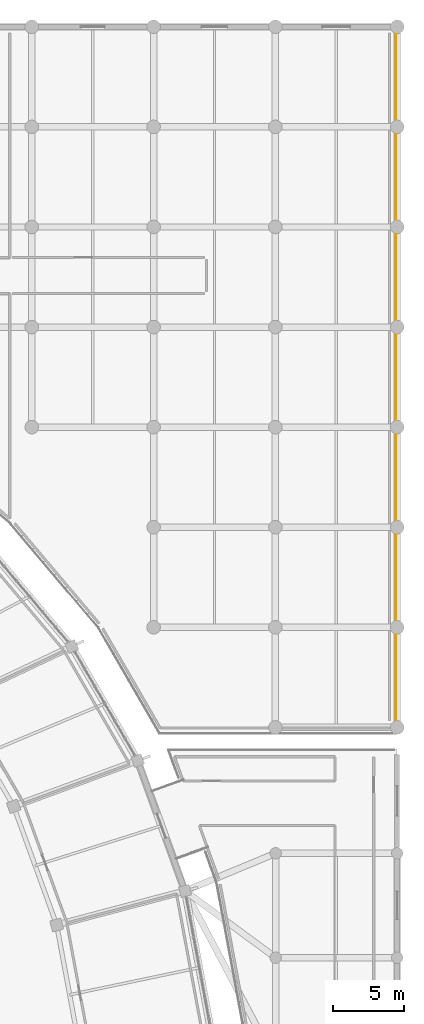
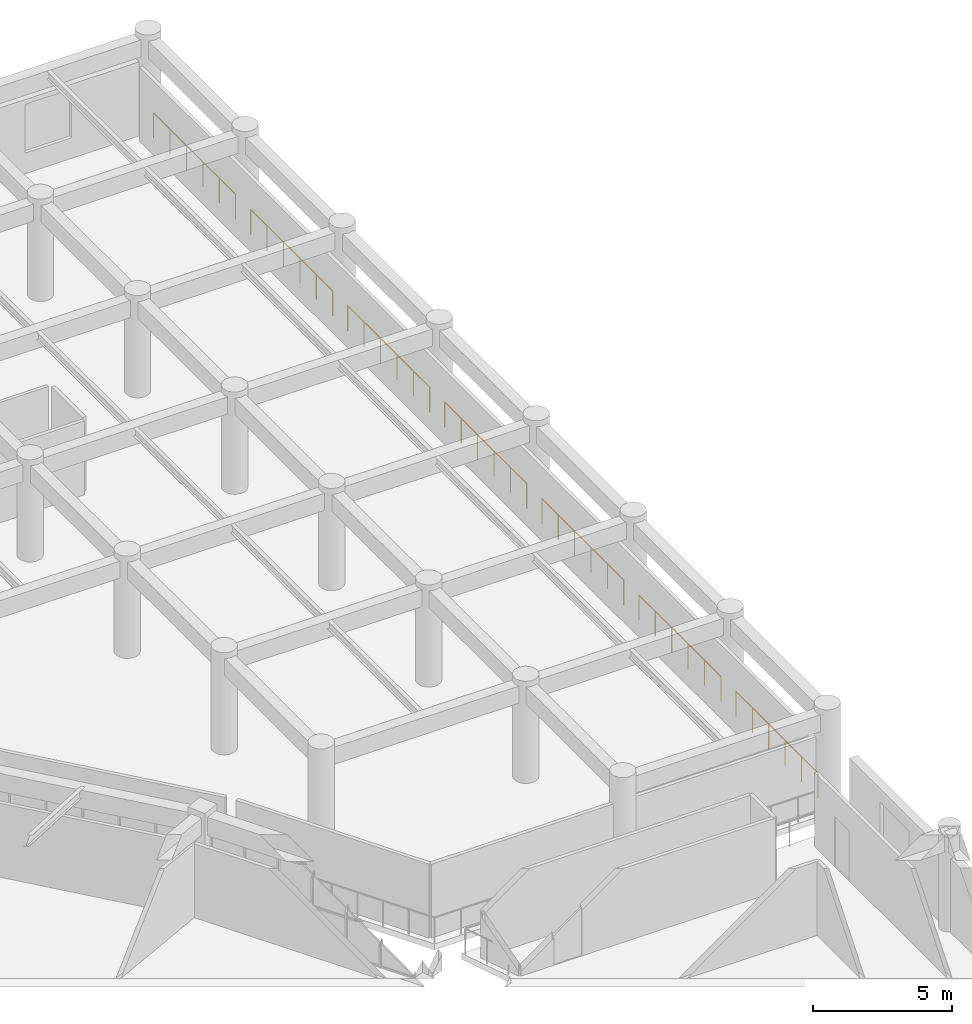
# One storey, part 141 of 141: 7 railings.
"""IFC4 building model written with IfcOpenShell, lengths in metres."""

from ifc_helpers import new_model, si_unit, direction, frame, origin, origin_2d, place, context, subcontext, project, spatial, circle, extrude, material, type_object, element, save


model = new_model("IFC4")

# Units and contexts
model_context = context("Model", 3, precision=1e-05, world=origin(), true_north=direction((0.0, 1.0)))
body_context = subcontext(model_context, "Body", "Model", "MODEL_VIEW")
ifc_project = project(units=[si_unit("LENGTHUNIT", "METRE"), si_unit("AREAUNIT", "SQUARE_METRE"), si_unit("VOLUMEUNIT", "CUBIC_METRE"), si_unit("PLANEANGLEUNIT", "RADIAN"), si_unit("MASSUNIT", "GRAM", prefix="KILO")], contexts=[model_context])

# Site, building, storey
site_placement = place(None, origin())
site = spatial("IfcSite", under=ifc_project, at=site_placement, CompositionType="ELEMENT")
building_placement = place(site_placement, origin())
building = spatial("IfcBuilding", under=site, at=building_placement, Name="Mphavela Belvedere Stadium", CompositionType="ELEMENT")
storey_placement = place(building_placement, frame((0.0, 0.0, 14.699951171875)))
storey = spatial("IfcBuildingStorey", under=building, at=storey_placement, Name="L03", CompositionType="ELEMENT", Elevation=14.699951171875)

# Railings
ifc_material = material(Name="Bronze and laminated glass stadium balustrade", Category="glass")
railing_type = type_object("IfcRailingType", Name="RAL-BALUSTRADE-1120", PredefinedType="BALUSTRADE", material=ifc_material)
for number, where, name in (
    (1, (229.919921875, 173.45654296875, 0.0), "Peristyle wing gallery edge balustrade L03-45"),
    (2, (229.919921875, 166.45654296875, 0.0), "Peristyle wing gallery edge balustrade L03-46"),
    (3, (229.919921875, 159.45654296875, 0.0), "Peristyle wing gallery edge balustrade L03-47"),
    (4, (229.919921875, 152.45654296875, 0.0), "Peristyle wing gallery edge balustrade L03-48"),
    (5, (229.919921875, 145.45654296875, 0.0), "Peristyle wing gallery edge balustrade L03-49"),
    (6, (229.919921875, 138.45654296875, 0.0), "Peristyle wing gallery edge balustrade L03-50"),
    (7, (229.919921875, 131.45654296875, 0.0), "Peristyle wing gallery edge balustrade L03-51"),
):
    element("IfcRailing", number, at=place(storey_placement, frame(where)), inside=storey, type_object=railing_type, Name=name, PredefinedType="BALUSTRADE", context=body_context, shape_type="SweptSolid", body=[
        extrude(circle(Radius=0.02392578125, at=origin_2d()), frame((0.0, 0.0, 1.09619140625), z_axis=(0.0, -1.0, 0.0), x_axis=(1.0, 0.0, 0.0)), (0.0, 0.0, 1.0), 5.9130859375),
        extrude(circle(Radius=0.02099609375, at=origin_2d()), origin(), (0.0, 0.0, 1.0), 1.072021484375),
        extrude(circle(Radius=0.02099609375, at=origin_2d()), frame((0.0, -1.1826171875, 0.0)), (0.0, 0.0, 1.0), 1.072021484375),
        extrude(circle(Radius=0.02099609375, at=origin_2d()), frame((0.0, -2.365234375, 0.0)), (0.0, 0.0, 1.0), 1.072021484375),
        extrude(circle(Radius=0.02099609375, at=origin_2d()), frame((0.0, -3.5478515625, 0.0)), (0.0, 0.0, 1.0), 1.072021484375),
        extrude(circle(Radius=0.02099609375, at=origin_2d()), frame((0.0, -4.73046875, 0.0)), (0.0, 0.0, 1.0), 1.072021484375),
        extrude(circle(Radius=0.02099609375, at=origin_2d()), frame((0.0, -5.9130859375, 0.0)), (0.0, 0.0, 1.0), 1.072021484375),
    ])

save(model, "model.ifc")
